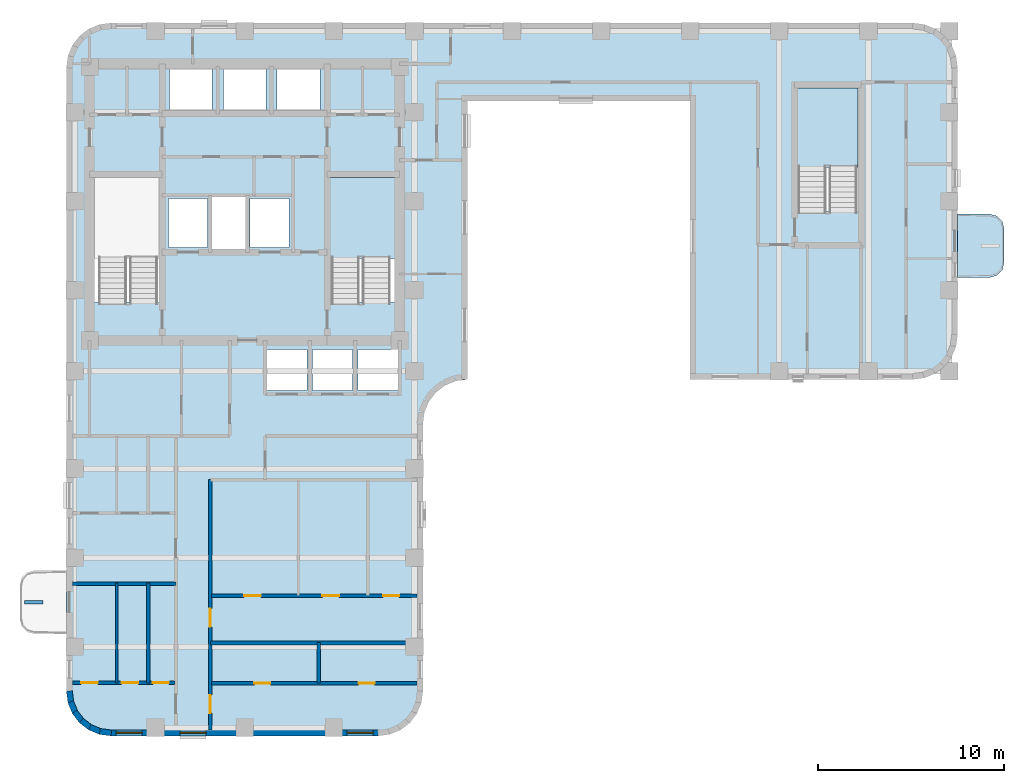
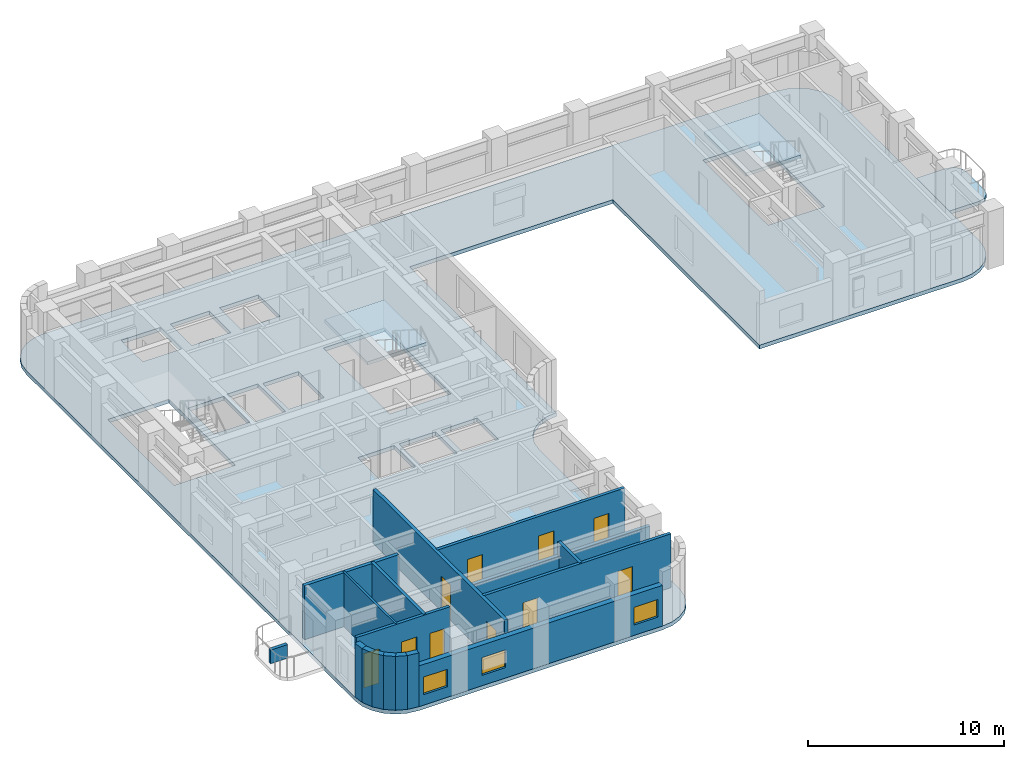
# One storey, part 2 of 10: 17 walls, 10 doors, 4 slabs, 3 windows, 13 openings, 2 elements without a shape of their own.
"""IFC4 building model written with IfcOpenShell, lengths in metres."""

from ifc_helpers import new_model, si_unit, direction, frame, frame_2d, origin, place, context, subcontext, project, spatial, polyline, rectangle, outline, extrude, material, layer, layer_set, type_object, element, fill, aggregate, save


model = new_model("IFC4")

# Units and contexts
model_context = context("Model", 3, precision=1e-05, world=origin(), true_north=direction((0.0, 1.0)))
body_context = subcontext(model_context, "Body", "Model", "MODEL_VIEW")
ifc_project = project(units=[si_unit("LENGTHUNIT", "METRE"), si_unit("AREAUNIT", "SQUARE_METRE"), si_unit("VOLUMEUNIT", "CUBIC_METRE"), si_unit("PLANEANGLEUNIT", "RADIAN"), si_unit("MASSUNIT", "GRAM", prefix="KILO")], contexts=[model_context])

# Site, building, storey
site_placement = place(None, origin())
site = spatial("IfcSite", under=ifc_project, at=site_placement, CompositionType="ELEMENT")
building_placement = place(site_placement, origin())
building = spatial("IfcBuilding", under=site, at=building_placement, Name="Orvandelia Arch Residences", CompositionType="ELEMENT")
storey_placement = place(building_placement, frame((0.0, 0.0, 182.800048828125)))
storey = spatial("IfcBuildingStorey", under=building, at=storey_placement, Name="L48", CompositionType="ELEMENT", Elevation=182.800048828125)

# Slab
ifc_material_1 = material(Name="Precast concrete C40/50", Category="concrete")
ifc_layer_1 = layer(ifc_material_1, 0.219970703125, Name="Precast concrete C40/50", Category="concrete")
ifc_layer_set_1 = layer_set([ifc_layer_1], Name="Precast concrete C40/50")
slab_type_1 = type_object("IfcSlabType", Name="SLB-BAL-220", PredefinedType="USERDEFINED", material=ifc_layer_set_1)
slab_1_placement = place(storey_placement, frame((0.0, 0.0, -0.219970703125)))
element("IfcSlab", 1, at=slab_1_placement, inside=storey, type_object=slab_type_1, Name="Tree Balcony Cantilever Slab BAL-L48-E1", ObjectType="BALCONY", PredefinedType="USERDEFINED", context=body_context, shape_type="SweptSolid", body=[
    extrude(outline(polyline([(52.800048828125, 37.699951171875), (52.800048828125, 34.300048828125), (54.550048828125, 34.300048828125), (54.925048828125, 34.400390625), (55.199462890625, 34.675048828125), (55.300048828125, 35.050048828125), (55.300048828125, 36.949951171875), (55.199462890625, 37.324951171875), (54.925048828125, 37.599609375), (54.550048828125, 37.699951171875), (52.800048828125, 37.699951171875)])), origin(), (0.0, 0.0, 1.0), 0.219970703125),
])

# Stair, slab
ifc_material_2 = material(Name="Concrete C40/50", Category="concrete")
stair_type = type_object("IfcStairType", Name="STAIR-RC-DOGLEG", PredefinedType="HALF_TURN_STAIR", material=ifc_material_2)
stair_1_placement = place(storey_placement, origin())
stair_1 = element("IfcStair", 2, at=stair_1_placement, inside=storey, type_object=stair_type, Name="L48 Protected Exit Stair ST-2", PredefinedType="HALF_TURN_STAIR")
ifc_layer_2 = layer(ifc_material_2, 0.219970703125, Name="Concrete C40/50", Category="concrete")
ifc_layer_set_2 = layer_set([ifc_layer_2], Name="Concrete C40/50")
slab_type_2 = type_object("IfcSlabType", Name="SLB-LANDING-220", PredefinedType="LANDING", material=ifc_layer_set_2)
slab_2_placement = place(storey_placement, frame((0.0, 0.0, 1.599853515625)))
slab_2 = element("IfcSlab", 3, at=slab_2_placement, type_object=slab_type_2, Name="ST-2 landing 1", PredefinedType="LANDING", context=body_context, shape_type="SweptSolid", body=[
    extrude(outline(polyline([(22.5400390625, 35.31005859375), (22.5400390625, 39.68994140625), (19.0, 39.68994140625), (19.0, 35.31005859375), (22.5400390625, 35.31005859375)])), origin(), (0.0, 0.0, 1.0), 0.2001953125),
])
aggregate(stair_1, [slab_2])

stair_2_placement = place(storey_placement, origin())
stair_2 = element("IfcStair", 4, at=stair_2_placement, inside=storey, type_object=stair_type, Name="L48 East Wing Exit Stair ST-3", PredefinedType="HALF_TURN_STAIR")
slab_3_placement = place(storey_placement, frame((0.0, 0.0, 1.599853515625)))
slab_3 = element("IfcSlab", 5, at=slab_3_placement, type_object=slab_type_2, Name="ST-3 landing 1", PredefinedType="LANDING", context=body_context, shape_type="SweptSolid", body=[
    extrude(outline(polyline([(47.43994140625, 40.2099609375), (47.43994140625, 44.5), (44.179931640625, 44.5), (44.179931640625, 40.2099609375), (47.43994140625, 40.2099609375)])), origin(), (0.0, 0.0, 1.0), 0.2001953125),
])
aggregate(stair_2, [slab_3])

# Slab
ifc_layer_3 = layer(ifc_material_2, 0.239990234375, Name="Concrete C40/50", Category="concrete")
ifc_layer_set_3 = layer_set([ifc_layer_3], Name="Concrete C40/50")
slab_type_3 = type_object("IfcSlabType", Name="SLB-TWR-240", PredefinedType="FLOOR", material=ifc_layer_set_3)
slab_4_placement = place(storey_placement, frame((0.0, 0.0, -0.239990234375)))
element("IfcSlab", 6, at=slab_4_placement, inside=storey, type_object=slab_type_3, Name="Structural Floor Slab L48-1", PredefinedType="FLOOR", context=body_context, shape_type="SweptSolid", body=[
    extrude(outline(polyline([(4.800048828125, 12.0), (4.8818359375, 11.37890625), (5.12158203125, 10.800048828125), (5.5029296875, 10.302978515625), (6.0, 9.92138671875), (6.578857421875, 9.681884765625), (7.199951171875, 9.60009765625), (21.60009765625, 9.60009765625), (22.22119140625, 9.681884765625), (22.800048828125, 9.92138671875), (23.297119140625, 10.302978515625), (23.678466796875, 10.800048828125), (23.918212890625, 11.37890625), (24.0, 12.0), (24.0, 26.39990234375), (24.081787109375, 27.021240234375), (24.321533203125, 27.60009765625), (24.702880859375, 28.09716796875), (25.199951171875, 28.478515625), (25.77880859375, 28.71826171875), (26.39990234375, 28.800048828125), (26.39990234375, 43.800048828125), (38.39990234375, 43.800048828125), (38.39990234375, 28.800048828125), (50.39990234375, 28.800048828125), (51.021240234375, 28.8818359375), (51.60009765625, 29.12158203125), (52.09716796875, 29.5029296875), (52.478515625, 30.0), (52.71826171875, 30.578857421875), (52.800048828125, 31.199951171875), (52.800048828125, 45.60009765625), (52.71826171875, 46.22119140625), (52.478515625, 46.800048828125), (52.09716796875, 47.297119140625), (51.60009765625, 47.678466796875), (51.021240234375, 47.918212890625), (50.39990234375, 48.0), (7.199951171875, 48.0), (6.578857421875, 47.918212890625), (6.0, 47.678466796875), (5.5029296875, 47.297119140625), (5.12158203125, 46.800048828125), (4.8818359375, 46.22119140625), (4.800048828125, 45.60009765625), (4.800048828125, 12.0)]), holes=[polyline([(6.219970703125, 32.949951171875), (9.840087890625, 32.949951171875), (9.840087890625, 39.72998046875), (6.219970703125, 39.72998046875), (6.219970703125, 32.949951171875)]), polyline([(18.9599609375, 32.949951171875), (22.580078125, 32.949951171875), (22.580078125, 39.72998046875), (18.9599609375, 39.72998046875), (18.9599609375, 32.949951171875)]), polyline([(44.139892578125, 37.85009765625), (47.47998046875, 37.85009765625), (47.47998046875, 44.5400390625), (44.139892578125, 44.5400390625), (44.139892578125, 37.85009765625)]), polyline([(12.639892578125, 35.81005859375), (14.4599609375, 35.81005859375), (14.4599609375, 38.639892578125), (12.639892578125, 38.639892578125), (12.639892578125, 35.81005859375)]), polyline([(10.300048828125, 35.89990234375), (12.39990234375, 35.89990234375), (12.39990234375, 38.550048828125), (10.300048828125, 38.550048828125), (10.300048828125, 35.89990234375)]), polyline([(14.699951171875, 35.89990234375), (16.800048828125, 35.89990234375), (16.800048828125, 38.550048828125), (14.699951171875, 38.550048828125), (14.699951171875, 35.89990234375)]), polyline([(10.35009765625, 43.300048828125), (12.64990234375, 43.300048828125), (12.64990234375, 45.5), (10.35009765625, 45.5), (10.35009765625, 43.300048828125)]), polyline([(13.25, 43.300048828125), (15.550048828125, 43.300048828125), (15.550048828125, 45.5), (13.25, 45.5), (13.25, 43.300048828125)]), polyline([(16.14990234375, 43.300048828125), (18.449951171875, 43.300048828125), (18.449951171875, 45.5), (16.14990234375, 45.5), (16.14990234375, 43.300048828125)]), polyline([(15.60009765625, 28.199951171875), (17.75, 28.199951171875), (17.75, 30.39990234375), (15.60009765625, 30.39990234375), (15.60009765625, 28.199951171875)]), polyline([(18.050048828125, 28.199951171875), (20.199951171875, 28.199951171875), (20.199951171875, 30.39990234375), (18.050048828125, 30.39990234375), (18.050048828125, 28.199951171875)]), polyline([(20.5, 28.199951171875), (22.64990234375, 28.199951171875), (22.64990234375, 30.39990234375), (20.5, 30.39990234375), (20.5, 28.199951171875)])]), origin(), (0.0, 0.0, 1.0), 0.239990234375),
])

# Wall, openings, doors
ifc_material_3 = material(Name="Fire-Rated Corridor Partition")
ifc_layer_4 = layer(ifc_material_3, 0.199951171875, Name="Fire-Rated Corridor Partition")
ifc_layer_set_4 = layer_set([ifc_layer_4], Name="Fire-Rated Corridor Partition")
wall_type_1 = type_object("IfcWallType", Name="WL-CORR-200", PredefinedType="PARTITIONING", material=ifc_layer_set_4)
wall_1_placement = place(storey_placement, frame((12.550048828125, 9.919921875, 0.0), z_axis=(0.0, 0.0, 1.0), x_axis=(0.0, 1.0, 0.0)))
wall_1 = element("IfcWall", 7, at=wall_1_placement, inside=storey, type_object=wall_type_1, Name="Interior Partition Wall WL-L48-WC-E", PredefinedType="PARTITIONING", context=body_context, shape_type="SweptSolid", body=[
    extrude(rectangle(XDim=13.47998046875, YDim=0.199951171875, at=frame_2d((6.739990234375, 0.0))), origin(), (0.0, 0.0, 1.0), 3.35986328125),
])
opening_1_placement = place(wall_1_placement, frame((0.902099609375, 0.0, 0.0)))
opening_1 = element("IfcOpeningElement", 8, at=opening_1_placement, cuts=wall_1, Name="Opening D1", PredefinedType="OPENING", context=body_context, shape_type="SweptSolid", body=[
    extrude(rectangle(XDim=0.97998046875, YDim=2.179931640625, at=frame_2d((0.489990234375, 1.08984375))), frame((0.0, 0.10986328125, 0.0), z_axis=(0.0, -1.0, 0.0), x_axis=(1.0, 0.0, 0.0)), (0.0, 0.0, 1.0), 0.219970703125),
])
opening_2_placement = place(wall_1_placement, frame((5.549072265625, 0.0, 0.0)))
opening_2 = element("IfcOpeningElement", 9, at=opening_2_placement, cuts=wall_1, Name="Opening D1", PredefinedType="OPENING", context=body_context, shape_type="SweptSolid", body=[
    extrude(rectangle(XDim=0.97998046875, YDim=2.179931640625, at=frame_2d((0.489990234375, 1.08984375))), frame((0.0, 0.10986328125, 0.0), z_axis=(0.0, -1.0, 0.0), x_axis=(1.0, 0.0, 0.0)), (0.0, 0.0, 1.0), 0.219970703125),
])
ifc_material_4 = material(Name="Solid-Core Timber Acoustic Fire Door", Category="wood")
door_type_1 = type_object("IfcDoorType", Name="DR-ENT-980", OperationType="NOTDEFINED", PredefinedType="DOOR", material=ifc_material_4)
door_1_placement = place(opening_1_placement, origin())
door_1 = element("IfcDoor", 10, at=door_1_placement, inside=storey, type_object=door_type_1, Name="Unit L48-03 Entrance Door", OperationType="SINGLE_SWING_LEFT", OverallHeight=2.179931640625, OverallWidth=0.97998046875, PredefinedType="DOOR", context=body_context, shape_type="SweptSolid", body=[
    extrude(rectangle(XDim=0.97998046875, YDim=2.179931640625, at=frame_2d((0.489990234375, 1.08984375))), frame((0.0, 0.02490234375, 0.0), z_axis=(0.0, -1.0, 0.0), x_axis=(1.0, 0.0, 0.0)), (0.0, 0.0, 1.0), 0.050048828125),
])
fill(opening_1, door_1)
door_2_placement = place(opening_2_placement, origin())
door_2 = element("IfcDoor", 11, at=door_2_placement, inside=storey, type_object=door_type_1, Name="Unit L48-04 Entrance Door", OperationType="SINGLE_SWING_RIGHT", OverallHeight=2.179931640625, OverallWidth=0.97998046875, PredefinedType="DOOR", context=body_context, shape_type="SweptSolid", body=[
    extrude(rectangle(XDim=0.97998046875, YDim=2.179931640625, at=frame_2d((0.489990234375, 1.08984375))), frame((0.0, 0.02490234375, 0.0), z_axis=(0.0, -1.0, 0.0), x_axis=(1.0, 0.0, 0.0)), (0.0, 0.0, 1.0), 0.050048828125),
])
fill(opening_2, door_2)

# Walls
ifc_layer_5 = layer(ifc_material_2, 0.199951171875, Name="Concrete C40/50", Category="concrete")
ifc_layer_set_5 = layer_set([ifc_layer_5], Name="Concrete C40/50")
wall_type_2 = type_object("IfcWallType", Name="WL-DEM-200", PredefinedType="SOLIDWALL", material=ifc_layer_set_5)
wall_2_placement = place(storey_placement, frame((5.1201171875, 17.800048828125, 0.0), z_axis=(0.0, 0.0, 1.0), x_axis=(1.0, 0.0, 0.0)))
element("IfcWall", 12, at=wall_2_placement, inside=storey, type_object=wall_type_2, Name="Interior Partition Wall WL-L48-DEM-WL-178", PredefinedType="SOLIDWALL", context=body_context, shape_type="SweptSolid", body=[
    extrude(rectangle(XDim=5.579833984375, YDim=0.199951171875, at=frame_2d((2.7900390625, 0.0))), origin(), (0.0, 0.0, 1.0), 3.35986328125),
])
wall_3_placement = place(storey_placement, frame((12.550048828125, 14.60009765625, 0.0), z_axis=(0.0, 0.0, 1.0), x_axis=(1.0, 0.0, 0.0)))
element("IfcWall", 13, at=wall_3_placement, inside=storey, type_object=wall_type_2, Name="Interior Partition Wall WL-L48-DEM-WR-146", PredefinedType="SOLIDWALL", context=body_context, shape_type="SweptSolid", body=[
    extrude(rectangle(XDim=11.1298828125, YDim=0.199951171875, at=frame_2d((5.56494140625, 0.0))), origin(), (0.0, 0.0, 1.0), 2.5400390625),
])

# Wall, openings, windows
ifc_layer_6 = layer(ifc_material_1, 0.320068359375, Name="Precast concrete C40/50", Category="concrete")
ifc_layer_set_6 = layer_set([ifc_layer_6], Name="Precast concrete C40/50")
wall_type_3 = type_object("IfcWallType", Name="WL-EXT-STONE-320", PredefinedType="STANDARD", material=ifc_layer_set_6)
wall_4_placement = place(storey_placement, frame((21.60009765625, 9.760009765625, 0.0), z_axis=(0.0, 0.0, 1.0), x_axis=(-1.0, 0.0, 0.0)))
wall_4 = element("IfcWall", 14, at=wall_4_placement, inside=storey, type_object=wall_type_3, Name="Coral-Limestone Precast Facade Wall L48-038", PredefinedType="STANDARD", context=body_context, shape_type="SweptSolid", body=[
    extrude(rectangle(XDim=14.400146484375, YDim=0.320068359375, at=frame_2d((7.2001953125, 0.0))), origin(), (0.0, 0.0, 1.0), 2.5400390625),
])
opening_3_placement = place(wall_4_placement, frame((0.282470703125, 0.0, 0.64990234375)))
opening_3 = element("IfcOpeningElement", 15, at=opening_3_placement, cuts=wall_4, Name="Opening W10", PredefinedType="OPENING", context=body_context, shape_type="SweptSolid", body=[
    extrude(rectangle(XDim=1.39990234375, YDim=1.10009765625, at=frame_2d((0.699951171875, 0.550048828125))), frame((0.0, 0.169921875, 0.0), z_axis=(0.0, -1.0, 0.0), x_axis=(1.0, 0.0, 0.0)), (0.0, 0.0, 1.0), 0.340087890625),
])
opening_4_placement = place(wall_4_placement, frame((9.27490234375, 0.0, 0.64990234375)))
opening_4 = element("IfcOpeningElement", 16, at=opening_4_placement, cuts=wall_4, Name="Opening W10", PredefinedType="OPENING", context=body_context, shape_type="SweptSolid", body=[
    extrude(rectangle(XDim=1.39990234375, YDim=1.10009765625, at=frame_2d((0.699951171875, 0.550048828125))), frame((0.0, 0.169921875, 0.0), z_axis=(0.0, -1.0, 0.0), x_axis=(1.0, 0.0, 0.0)), (0.0, 0.0, 1.0), 0.340087890625),
])
opening_5_placement = place(wall_4_placement, frame((12.717529296875, 0.0, 0.64990234375)))
opening_5 = element("IfcOpeningElement", 17, at=opening_5_placement, cuts=wall_4, Name="Opening W10", PredefinedType="OPENING", context=body_context, shape_type="SweptSolid", body=[
    extrude(rectangle(XDim=1.39990234375, YDim=1.10009765625, at=frame_2d((0.699951171875, 0.550048828125))), frame((0.0, 0.169921875, 0.0), z_axis=(0.0, -1.0, 0.0), x_axis=(1.0, 0.0, 0.0)), (0.0, 0.0, 1.0), 0.340087890625),
])
ifc_material_5 = material(Name="Tempered Low-E Insulated Glazing", Category="glass")
window_type = type_object("IfcWindowType", Name="WIN-CLR-1400x1100", PartitioningType="SINGLE_PANEL", PredefinedType="WINDOW", material=ifc_material_5)
window_1_placement = place(opening_3_placement, origin())
window_1 = element("IfcWindow", 18, at=window_1_placement, inside=storey, type_object=window_type, Name="Recessed Punched Window L48-020", OverallHeight=1.10009765625, OverallWidth=1.39990234375, PartitioningType="SINGLE_PANEL", PredefinedType="WINDOW", context=body_context, shape_type="SweptSolid", body=[
    extrude(rectangle(XDim=1.39990234375, YDim=1.10009765625, at=frame_2d((0.699951171875, 0.550048828125))), frame((0.0, 0.030029296875, 0.0), z_axis=(0.0, -1.0, 0.0), x_axis=(1.0, 0.0, 0.0)), (0.0, 0.0, 1.0), 0.06005859375),
])
fill(opening_3, window_1)
window_2_placement = place(opening_4_placement, origin())
window_2 = element("IfcWindow", 19, at=window_2_placement, inside=storey, type_object=window_type, Name="Recessed Punched Window L48-021", OverallHeight=1.10009765625, OverallWidth=1.39990234375, PartitioningType="SINGLE_PANEL", PredefinedType="WINDOW", context=body_context, shape_type="SweptSolid", body=[
    extrude(rectangle(XDim=1.39990234375, YDim=1.10009765625, at=frame_2d((0.699951171875, 0.550048828125))), frame((0.0, 0.030029296875, 0.0), z_axis=(0.0, -1.0, 0.0), x_axis=(1.0, 0.0, 0.0)), (0.0, 0.0, 1.0), 0.06005859375),
])
fill(opening_4, window_2)
window_3_placement = place(opening_5_placement, origin())
window_3 = element("IfcWindow", 20, at=window_3_placement, inside=storey, type_object=window_type, Name="Recessed Punched Window L48-022", OverallHeight=1.10009765625, OverallWidth=1.39990234375, PartitioningType="SINGLE_PANEL", PredefinedType="WINDOW", context=body_context, shape_type="SweptSolid", body=[
    extrude(rectangle(XDim=1.39990234375, YDim=1.10009765625, at=frame_2d((0.699951171875, 0.550048828125))), frame((0.0, 0.030029296875, 0.0), z_axis=(0.0, -1.0, 0.0), x_axis=(1.0, 0.0, 0.0)), (0.0, 0.0, 1.0), 0.06005859375),
])
fill(opening_5, window_3)

# Walls
wall_5_placement = place(storey_placement, frame((7.220947265625, 9.758544921875, 0.0), z_axis=(0.0, 0.0, 1.0), x_axis=(-0.991447664465, 0.130504898859, 0.0)))
element("IfcWall", 21, at=wall_5_placement, inside=storey, type_object=wall_type_3, Name="Coral-Limestone Precast Facade Wall L48-039", PredefinedType="STANDARD", context=body_context, shape_type="SweptSolid", body=[
    extrude(rectangle(XDim=0.626708984375, YDim=0.320068359375, at=frame_2d((0.3134765625, 0.0))), origin(), (0.0, 0.0, 1.0), 3.35986328125),
])
wall_6_placement = place(storey_placement, frame((6.639892578125, 9.82958984375, 0.0), z_axis=(0.0, 0.0, 1.0), x_axis=(-0.923836271867, 0.382787856107, 0.0)))
element("IfcWall", 22, at=wall_6_placement, inside=storey, type_object=wall_type_3, Name="Coral-Limestone Precast Facade Wall L48-040", PredefinedType="STANDARD", context=body_context, shape_type="SweptSolid", body=[
    extrude(rectangle(XDim=0.626220703125, YDim=0.320068359375, at=frame_2d((0.31298828125, 0.0))), origin(), (0.0, 0.0, 1.0), 3.35986328125),
])
wall_7_placement = place(storey_placement, frame((6.097412109375, 10.04833984375, 0.0), z_axis=(0.0, 0.0, 1.0), x_axis=(-0.793405610854, 0.608693302629, 0.0)))
element("IfcWall", 23, at=wall_7_placement, inside=storey, type_object=wall_type_3, Name="Coral-Limestone Precast Facade Wall L48-041", PredefinedType="STANDARD", context=body_context, shape_type="SweptSolid", body=[
    extrude(rectangle(XDim=0.62646484375, YDim=0.320068359375, at=frame_2d((0.313232421875, 0.0))), origin(), (0.0, 0.0, 1.0), 3.35986328125),
])
wall_8_placement = place(storey_placement, frame((5.6298828125, 10.400390625, 0.0), z_axis=(0.0, 0.0, 1.0), x_axis=(-0.608938521285, 0.7932174212, 0.0)))
element("IfcWall", 24, at=wall_8_placement, inside=storey, type_object=wall_type_3, Name="Coral-Limestone Precast Facade Wall L48-042", PredefinedType="STANDARD", context=body_context, shape_type="SweptSolid", body=[
    extrude(rectangle(XDim=0.626708984375, YDim=0.320068359375, at=frame_2d((0.3134765625, 0.0))), origin(), (0.0, 0.0, 1.0), 3.35986328125),
])
wall_9_placement = place(storey_placement, frame((5.269287109375, 10.861083984375, 0.0), z_axis=(0.0, 0.0, 1.0), x_axis=(-0.382650053678, 0.92389335771, 0.0)))
element("IfcWall", 25, at=wall_9_placement, inside=storey, type_object=wall_type_3, Name="Coral-Limestone Precast Facade Wall L48-043", PredefinedType="STANDARD", context=body_context, shape_type="SweptSolid", body=[
    extrude(rectangle(XDim=0.62646484375, YDim=0.320068359375, at=frame_2d((0.313232421875, 0.0))), origin(), (0.0, 0.0, 1.0), 3.35986328125),
])
wall_10_placement = place(storey_placement, frame((5.040283203125, 11.399658203125, 0.0), z_axis=(0.0, 0.0, 1.0), x_axis=(-0.130504898859, 0.991447664465, 0.0)))
element("IfcWall", 26, at=wall_10_placement, inside=storey, type_object=wall_type_3, Name="Coral-Limestone Precast Facade Wall L48-044", PredefinedType="STANDARD", context=body_context, shape_type="SweptSolid", body=[
    extrude(rectangle(XDim=0.626708984375, YDim=0.320068359375, at=frame_2d((0.3134765625, 0.0))), origin(), (0.0, 0.0, 1.0), 3.35986328125),
])
ifc_material_6 = material(Name="Lightweight Gypsum Stud Partition")
ifc_layer_7 = layer(ifc_material_6, 0.1201171875, Name="Lightweight Gypsum Stud Partition")
ifc_layer_set_7 = layer_set([ifc_layer_7], Name="Lightweight Gypsum Stud Partition")
wall_type_4 = type_object("IfcWallType", Name="WL-PART-120", PredefinedType="PARTITIONING", material=ifc_layer_set_7)
wall_11_placement = place(storey_placement, frame((7.514892578125, 12.4619140625, 0.0), z_axis=(0.0, 0.0, 1.0), x_axis=(0.0, 1.0, 0.0)))
element("IfcWall", 27, at=wall_11_placement, inside=storey, type_object=wall_type_4, Name="Interior Partition Wall WL-L48-U01-V1", PredefinedType="PARTITIONING", context=body_context, shape_type="SweptSolid", body=[
    extrude(rectangle(XDim=5.378173828125, YDim=0.1201171875, at=frame_2d((2.68896484375, 0.0))), origin(), (0.0, 0.0, 1.0), 3.35986328125),
])
ifc_layer_8 = layer(ifc_material_1, 0.199951171875, Name="Precast concrete C40/50", Category="concrete")
ifc_layer_set_8 = layer_set([ifc_layer_8], Name="Precast concrete C40/50")
wall_type_5 = type_object("IfcWallType", Name="WL-PLANTER-200", PredefinedType="MOVABLE", material=ifc_layer_set_8)
wall_12_placement = place(storey_placement, frame((2.550048828125, 16.800048828125, 0.0), z_axis=(0.0, 0.0, 1.0), x_axis=(1.0, 0.0, 0.0)))
element("IfcWall", 28, at=wall_12_placement, inside=storey, type_object=wall_type_5, Name="Balcony Precast Tree Planter BAL-L48-W1", PredefinedType="MOVABLE", context=body_context, shape_type="SweptSolid", body=[
    extrude(rectangle(XDim=1.0, YDim=0.199951171875, at=frame_2d((0.5, 0.0))), origin(), (0.0, 0.0, 1.0), 0.849853515625),
])

# Wall, openings, doors
ifc_material_7 = material(Name="Moisture-Resistant Plumbing Wall")
ifc_layer_9 = layer(ifc_material_7, 0.179931640625, Name="Moisture-Resistant Plumbing Wall")
ifc_layer_set_9 = layer_set([ifc_layer_9], Name="Moisture-Resistant Plumbing Wall")
wall_type_6 = type_object("IfcWallType", Name="WL-WET-180", PredefinedType="PLUMBINGWALL", material=ifc_layer_set_9)
wall_13_placement = place(storey_placement, frame((5.1201171875, 12.4619140625, 0.0), z_axis=(0.0, 0.0, 1.0), x_axis=(1.0, 0.0, 0.0)))
wall_13 = element("IfcWall", 29, at=wall_13_placement, inside=storey, type_object=wall_type_6, Name="Interior Partition Wall WL-L48-U01-HZ", PredefinedType="PLUMBINGWALL", context=body_context, shape_type="SweptSolid", body=[
    extrude(rectangle(XDim=5.519775390625, YDim=0.179931640625, at=frame_2d((2.759765625, 0.0))), origin(), (0.0, 0.0, 1.0), 3.35986328125),
])
opening_6_placement = place(wall_13_placement, frame((0.47216796875, 0.0, 0.0)))
opening_6 = element("IfcOpeningElement", 30, at=opening_6_placement, cuts=wall_13, Name="Opening D3", PredefinedType="OPENING", context=body_context, shape_type="SweptSolid", body=[
    extrude(rectangle(XDim=0.89990234375, YDim=2.14990234375, at=frame_2d((0.449951171875, 1.074951171875))), frame((0.0, 0.10009765625, 0.0), z_axis=(0.0, -1.0, 0.0), x_axis=(1.0, 0.0, 0.0)), (0.0, 0.0, 1.0), 0.199951171875),
])
opening_7_placement = place(wall_13_placement, frame((2.655029296875, 0.0, 0.0)))
opening_7 = element("IfcOpeningElement", 31, at=opening_7_placement, cuts=wall_13, Name="Opening D3", PredefinedType="OPENING", context=body_context, shape_type="SweptSolid", body=[
    extrude(rectangle(XDim=0.89990234375, YDim=2.14990234375, at=frame_2d((0.449951171875, 1.074951171875))), frame((0.0, 0.10009765625, 0.0), z_axis=(0.0, -1.0, 0.0), x_axis=(1.0, 0.0, 0.0)), (0.0, 0.0, 1.0), 0.199951171875),
])
opening_8_placement = place(wall_13_placement, frame((4.342041015625, 0.0, 0.0)))
opening_8 = element("IfcOpeningElement", 32, at=opening_8_placement, cuts=wall_13, Name="Opening D4", PredefinedType="OPENING", context=body_context, shape_type="SweptSolid", body=[
    extrude(rectangle(XDim=0.860107421875, YDim=2.10009765625, at=frame_2d((0.43017578125, 1.050048828125))), frame((0.0, 0.10009765625, 0.0), z_axis=(0.0, -1.0, 0.0), x_axis=(1.0, 0.0, 0.0)), (0.0, 0.0, 1.0), 0.199951171875),
])
ifc_material_8 = material(Name="Engineered Timber Flush Door", Category="wood")
door_type_2 = type_object("IfcDoorType", Name="DR-INT-900", OperationType="NOTDEFINED", PredefinedType="DOOR", material=ifc_material_8)
door_3_placement = place(opening_6_placement, origin())
door_3 = element("IfcDoor", 33, at=door_3_placement, inside=storey, type_object=door_type_2, Name="DR-L48-U01-BD1", OperationType="SINGLE_SWING_LEFT", OverallHeight=2.14990234375, OverallWidth=0.89990234375, PredefinedType="DOOR", context=body_context, shape_type="SweptSolid", body=[
    extrude(rectangle(XDim=0.89990234375, YDim=2.14990234375, at=frame_2d((0.449951171875, 1.074951171875))), frame((0.0, 0.02490234375, 0.0), z_axis=(0.0, -1.0, 0.0), x_axis=(1.0, 0.0, 0.0)), (0.0, 0.0, 1.0), 0.050048828125),
])
fill(opening_6, door_3)
door_4_placement = place(opening_7_placement, origin())
door_4 = element("IfcDoor", 34, at=door_4_placement, inside=storey, type_object=door_type_2, Name="DR-L48-U01-KIT", OperationType="SINGLE_SWING_RIGHT", OverallHeight=2.14990234375, OverallWidth=0.89990234375, PredefinedType="DOOR", context=body_context, shape_type="SweptSolid", body=[
    extrude(rectangle(XDim=0.89990234375, YDim=2.14990234375, at=frame_2d((0.449951171875, 1.074951171875))), frame((0.0, 0.02490234375, 0.0), z_axis=(0.0, -1.0, 0.0), x_axis=(1.0, 0.0, 0.0)), (0.0, 0.0, 1.0), 0.050048828125),
])
fill(opening_7, door_4)
ifc_material_9 = material(Name="Moisture-Sealed Timber Bathroom Door", Category="wood")
door_type_3 = type_object("IfcDoorType", Name="DR-WET-900", OperationType="NOTDEFINED", PredefinedType="DOOR", material=ifc_material_9)
door_5_placement = place(opening_8_placement, origin())
door_5 = element("IfcDoor", 35, at=door_5_placement, inside=storey, type_object=door_type_3, Name="DR-L48-U01-BTH", OperationType="SINGLE_SWING_LEFT", OverallHeight=2.10009765625, OverallWidth=0.860107421875, PredefinedType="DOOR", context=body_context, shape_type="SweptSolid", body=[
    extrude(rectangle(XDim=0.860107421875, YDim=2.10009765625, at=frame_2d((0.43017578125, 1.050048828125))), frame((0.0, 0.02490234375, 0.0), z_axis=(0.0, -1.0, 0.0), x_axis=(1.0, 0.0, 0.0)), (0.0, 0.0, 1.0), 0.050048828125),
])
fill(opening_8, door_5)

# Wall
wall_14_placement = place(storey_placement, frame((9.201904296875, 12.4619140625, 0.0), z_axis=(0.0, 0.0, 1.0), x_axis=(0.0, 1.0, 0.0)))
element("IfcWall", 36, at=wall_14_placement, inside=storey, type_object=wall_type_6, Name="Interior Partition Wall WL-L48-U01-V2", PredefinedType="PLUMBINGWALL", context=body_context, shape_type="SweptSolid", body=[
    extrude(rectangle(XDim=5.378173828125, YDim=0.179931640625, at=frame_2d((2.68896484375, 0.0))), origin(), (0.0, 0.0, 1.0), 3.35986328125),
])

# Wall, openings, doors
wall_15_placement = place(storey_placement, frame((12.610107421875, 12.444091796875, 0.0), z_axis=(0.0, 0.0, 1.0), x_axis=(1.0, 0.0, 0.0)))
wall_15 = element("IfcWall", 37, at=wall_15_placement, inside=storey, type_object=wall_type_6, Name="Interior Partition Wall WL-L48-U03-HZ", PredefinedType="PLUMBINGWALL", context=body_context, shape_type="SweptSolid", body=[
    extrude(rectangle(XDim=11.06982421875, YDim=0.179931640625, at=frame_2d((5.534912109375, 0.0))), origin(), (0.0, 0.0, 1.0), 3.35986328125),
])
opening_9_placement = place(wall_15_placement, frame((2.319091796875, 0.0, 0.0)))
opening_9 = element("IfcOpeningElement", 38, at=opening_9_placement, cuts=wall_15, Name="Opening D4", PredefinedType="OPENING", context=body_context, shape_type="SweptSolid", body=[
    extrude(rectangle(XDim=0.860107421875, YDim=2.10009765625, at=frame_2d((0.43017578125, 1.050048828125))), frame((0.0, 0.10009765625, 0.0), z_axis=(0.0, -1.0, 0.0), x_axis=(1.0, 0.0, 0.0)), (0.0, 0.0, 1.0), 0.199951171875),
])
opening_10_placement = place(wall_15_placement, frame((7.93408203125, 0.0, 0.0)))
opening_10 = element("IfcOpeningElement", 39, at=opening_10_placement, cuts=wall_15, Name="Opening D4", PredefinedType="OPENING", context=body_context, shape_type="SweptSolid", body=[
    extrude(rectangle(XDim=0.860107421875, YDim=2.10009765625, at=frame_2d((0.43017578125, 1.050048828125))), frame((0.0, 0.10009765625, 0.0), z_axis=(0.0, -1.0, 0.0), x_axis=(1.0, 0.0, 0.0)), (0.0, 0.0, 1.0), 0.199951171875),
])
door_6_placement = place(opening_9_placement, origin())
door_6 = element("IfcDoor", 40, at=door_6_placement, inside=storey, type_object=door_type_3, Name="DR-L48-U03-KIT", OperationType="SINGLE_SWING_LEFT", OverallHeight=2.10009765625, OverallWidth=0.860107421875, PredefinedType="DOOR", context=body_context, shape_type="SweptSolid", body=[
    extrude(rectangle(XDim=0.860107421875, YDim=2.10009765625, at=frame_2d((0.43017578125, 1.050048828125))), frame((0.0, 0.02490234375, 0.0), z_axis=(0.0, -1.0, 0.0), x_axis=(1.0, 0.0, 0.0)), (0.0, 0.0, 1.0), 0.050048828125),
])
fill(opening_9, door_6)
door_7_placement = place(opening_10_placement, origin())
door_7 = element("IfcDoor", 41, at=door_7_placement, inside=storey, type_object=door_type_3, Name="DR-L48-U03-BTH", OperationType="SINGLE_SWING_RIGHT", OverallHeight=2.10009765625, OverallWidth=0.860107421875, PredefinedType="DOOR", context=body_context, shape_type="SweptSolid", body=[
    extrude(rectangle(XDim=0.860107421875, YDim=2.10009765625, at=frame_2d((0.43017578125, 1.050048828125))), frame((0.0, 0.02490234375, 0.0), z_axis=(0.0, -1.0, 0.0), x_axis=(1.0, 0.0, 0.0)), (0.0, 0.0, 1.0), 0.050048828125),
])
fill(opening_10, door_7)

# Wall
wall_16_placement = place(storey_placement, frame((18.39794921875, 12.444091796875, 0.0), z_axis=(0.0, 0.0, 1.0), x_axis=(0.0, 1.0, 0.0)))
element("IfcWall", 42, at=wall_16_placement, inside=storey, type_object=wall_type_6, Name="Interior Partition Wall WL-L48-U03-V1", PredefinedType="PLUMBINGWALL", context=body_context, shape_type="SweptSolid", body=[
    extrude(rectangle(XDim=2.19580078125, YDim=0.179931640625, at=frame_2d((1.097900390625, 0.0))), origin(), (0.0, 0.0, 1.0), 3.35986328125),
])

# Wall, openings, doors
wall_17_placement = place(storey_placement, frame((12.610107421875, 17.153076171875, 0.0), z_axis=(0.0, 0.0, 1.0), x_axis=(1.0, 0.0, 0.0)))
wall_17 = element("IfcWall", 43, at=wall_17_placement, inside=storey, type_object=wall_type_6, Name="Interior Partition Wall WL-L48-U04-HZ", PredefinedType="PLUMBINGWALL", context=body_context, shape_type="SweptSolid", body=[
    extrude(rectangle(XDim=11.06982421875, YDim=0.179931640625, at=frame_2d((5.534912109375, 0.0))), origin(), (0.0, 0.0, 1.0), 3.35986328125),
])
opening_11_placement = place(wall_17_placement, frame((1.762451171875, 0.0, 0.0)))
opening_11 = element("IfcOpeningElement", 44, at=opening_11_placement, cuts=wall_17, Name="Opening D3", PredefinedType="OPENING", context=body_context, shape_type="SweptSolid", body=[
    extrude(rectangle(XDim=0.89990234375, YDim=2.14990234375, at=frame_2d((0.449951171875, 1.074951171875))), frame((0.0, 0.10009765625, 0.0), z_axis=(0.0, -1.0, 0.0), x_axis=(1.0, 0.0, 0.0)), (0.0, 0.0, 1.0), 0.199951171875),
])
opening_12_placement = place(wall_17_placement, frame((5.9765625, 0.0, 0.0)))
opening_12 = element("IfcOpeningElement", 45, at=opening_12_placement, cuts=wall_17, Name="Opening D3", PredefinedType="OPENING", context=body_context, shape_type="SweptSolid", body=[
    extrude(rectangle(XDim=0.89990234375, YDim=2.14990234375, at=frame_2d((0.449951171875, 1.074951171875))), frame((0.0, 0.10009765625, 0.0), z_axis=(0.0, -1.0, 0.0), x_axis=(1.0, 0.0, 0.0)), (0.0, 0.0, 1.0), 0.199951171875),
])
opening_13_placement = place(wall_17_placement, frame((9.25390625, 0.0, 0.0)))
opening_13 = element("IfcOpeningElement", 46, at=opening_13_placement, cuts=wall_17, Name="Opening D4", PredefinedType="OPENING", context=body_context, shape_type="SweptSolid", body=[
    extrude(rectangle(XDim=0.860107421875, YDim=2.10009765625, at=frame_2d((0.43017578125, 1.050048828125))), frame((0.0, 0.10009765625, 0.0), z_axis=(0.0, -1.0, 0.0), x_axis=(1.0, 0.0, 0.0)), (0.0, 0.0, 1.0), 0.199951171875),
])
door_8_placement = place(opening_11_placement, origin())
door_8 = element("IfcDoor", 47, at=door_8_placement, inside=storey, type_object=door_type_2, Name="DR-L48-U04-STDY", OperationType="SINGLE_SWING_RIGHT", OverallHeight=2.14990234375, OverallWidth=0.89990234375, PredefinedType="DOOR", context=body_context, shape_type="SweptSolid", body=[
    extrude(rectangle(XDim=0.89990234375, YDim=2.14990234375, at=frame_2d((0.449951171875, 1.074951171875))), frame((0.0, 0.02490234375, 0.0), z_axis=(0.0, -1.0, 0.0), x_axis=(1.0, 0.0, 0.0)), (0.0, 0.0, 1.0), 0.050048828125),
])
fill(opening_11, door_8)
door_9_placement = place(opening_12_placement, origin())
door_9 = element("IfcDoor", 48, at=door_9_placement, inside=storey, type_object=door_type_2, Name="DR-L48-U04-KIT", OperationType="SINGLE_SWING_LEFT", OverallHeight=2.14990234375, OverallWidth=0.89990234375, PredefinedType="DOOR", context=body_context, shape_type="SweptSolid", body=[
    extrude(rectangle(XDim=0.89990234375, YDim=2.14990234375, at=frame_2d((0.449951171875, 1.074951171875))), frame((0.0, 0.02490234375, 0.0), z_axis=(0.0, -1.0, 0.0), x_axis=(1.0, 0.0, 0.0)), (0.0, 0.0, 1.0), 0.050048828125),
])
fill(opening_12, door_9)
door_10_placement = place(opening_13_placement, origin())
door_10 = element("IfcDoor", 49, at=door_10_placement, inside=storey, type_object=door_type_3, Name="DR-L48-U04-BTH", OperationType="SINGLE_SWING_RIGHT", OverallHeight=2.10009765625, OverallWidth=0.860107421875, PredefinedType="DOOR", context=body_context, shape_type="SweptSolid", body=[
    extrude(rectangle(XDim=0.860107421875, YDim=2.10009765625, at=frame_2d((0.43017578125, 1.050048828125))), frame((0.0, 0.02490234375, 0.0), z_axis=(0.0, -1.0, 0.0), x_axis=(1.0, 0.0, 0.0)), (0.0, 0.0, 1.0), 0.050048828125),
])
fill(opening_13, door_10)

save(model, "model.ifc")
